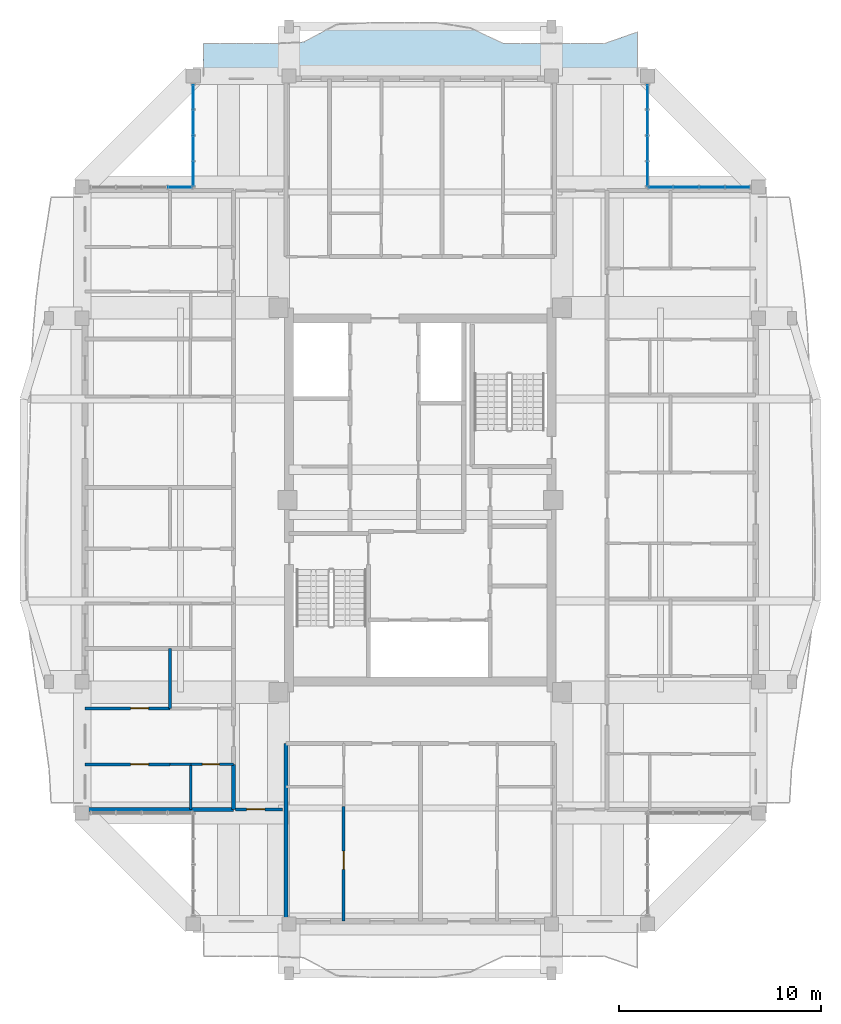
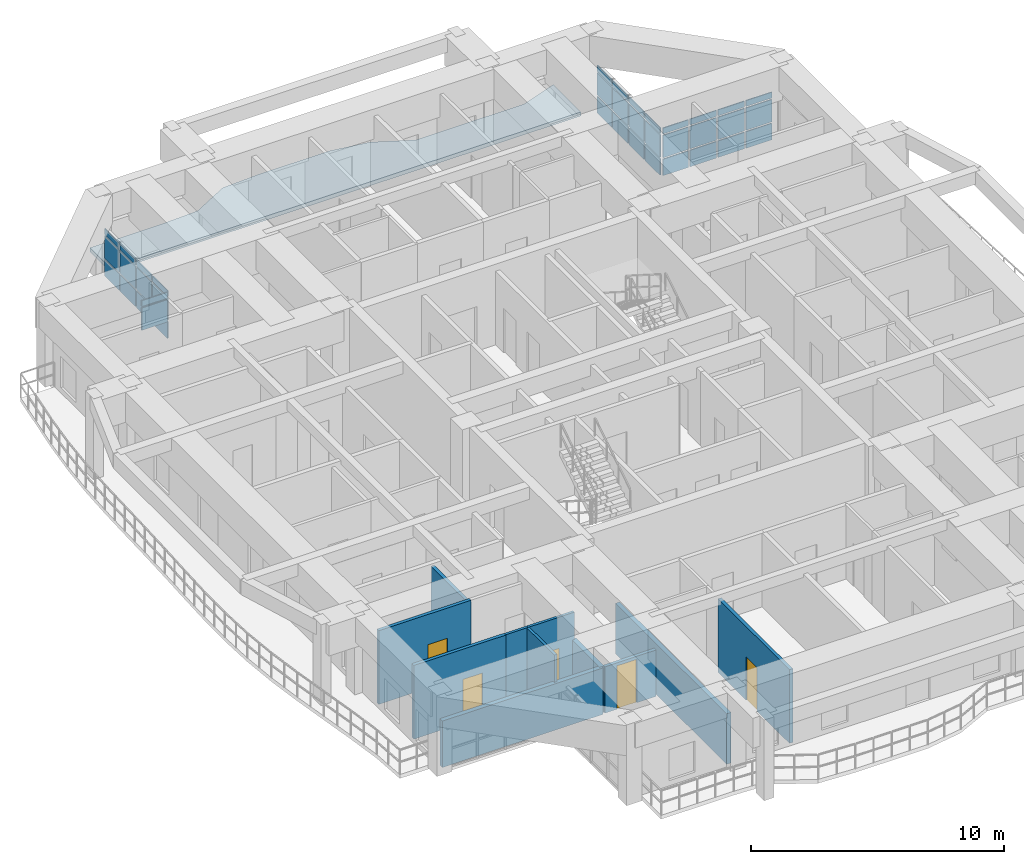
# One storey, part 15 of 27: 38 plates, 11 walls, 5 doors, 1 slab, 5 openings, 4 elements without a shape of their own.
"""IFC4 building model written with IfcOpenShell, lengths in metres."""

import ifcopenshell
import ifcopenshell.guid

model = None  # the IFC model being written
_history = None  # IfcOwnerHistory: only IFC2X3 demands one
_inside = {}  # id of a spatial element -> (the spatial element, [elements in it])
_under = {}  # id of a project, library or spatial element -> (it, [spatial elements below it])
_declared = {}  # id of a project -> (the project, [libraries it declares])
_typed = {}  # id of a type object -> (the type object, [elements of that type])
_made_of = {}  # id of a material, layer set ... -> (it, [elements and type objects made of it])


def new_model(schema):
    """Start an empty IFC model of exactly this schema.

    Asked for "IFC4X3", IfcOpenShell would pick the latest addendum, in which some entities
    have other attributes; the version numbers below select the first issue.
    IFC2X3 requires an IfcOwnerHistory on every rooted entity: one is made here for all.
    """
    global model, _history
    if schema == "IFC4X3":
        model = ifcopenshell.file(schema_version=(4, 3, 0, 0))
    else:
        model = ifcopenshell.file(schema=schema)
    _inside.clear()
    _under.clear()
    _declared.clear()
    _typed.clear()
    _made_of.clear()
    _history = None
    if model.schema == "IFC2X3":
        org = make("IfcOrganization", Name="unknown")
        user = make(
            "IfcPersonAndOrganization",
            ThePerson=make("IfcPerson", FamilyName="unknown"),
            TheOrganization=org,
        )
        app = make(
            "IfcApplication",
            ApplicationDeveloper=org,
            Version="unknown",
            ApplicationFullName="unknown",
            ApplicationIdentifier="unknown",
        )
        _history = make(
            "IfcOwnerHistory",
            OwningUser=user,
            OwningApplication=app,
            ChangeAction="ADDED",
            CreationDate=0,
        )
    return model


def make(cls, **values):
    """One entity of the class cls with the attributes given. An attribute that is None is left unset."""
    return model.create_entity(
        cls, **{name: value for name, value in values.items() if value is not None}
    )


def rooted(cls, **values):
    """An entity with a GlobalId (a new one), such as an element, a storey or a relation."""
    return make(cls, GlobalId=ifcopenshell.guid.new(), OwnerHistory=_history, **values)


def si_unit(unit_type, name, prefix=None):
    """IfcSIUnit, for example si_unit("LENGTHUNIT", "METRE", prefix="MILLI")."""
    return make("IfcSIUnit", UnitType=unit_type, Prefix=prefix, Name=name)


def assignment(units):
    """IfcUnitAssignment: the units of a project."""
    return None if units is None else make("IfcUnitAssignment", Units=units)


def point(xyz):
    """IfcCartesianPoint."""
    return None if xyz is None else make("IfcCartesianPoint", Coordinates=xyz)


def direction(xyz):
    """IfcDirection."""
    return None if xyz is None else make("IfcDirection", DirectionRatios=xyz)


def frame(location, z_axis=None, x_axis=None):
    """IfcAxis2Placement3D, a coordinate frame: its origin and axes. An axis left out is left unset."""
    return make(
        "IfcAxis2Placement3D",
        Location=point(location),
        Axis=direction(z_axis),
        RefDirection=direction(x_axis),
    )


def frame_2d(location, x_axis=None):
    """IfcAxis2Placement2D, a coordinate frame in the plane: its origin and x axis."""
    return make(
        "IfcAxis2Placement2D", Location=point(location), RefDirection=direction(x_axis)
    )


def origin():
    """The frame at (0, 0, 0) with its axes left unset."""
    return frame((0.0, 0.0, 0.0))


def origin_2d():
    """The frame at (0, 0) in the plane with its x axis left unset."""
    return frame_2d((0.0, 0.0))


def place(relative_to, where):
    """IfcLocalPlacement: puts the frame where relative to a parent placement (None: the world)."""
    return make(
        "IfcLocalPlacement", PlacementRelTo=relative_to, RelativePlacement=where
    )


def context(
    kind, dimensions, precision=None, world=None, true_north=None, identifier=None
):
    """IfcGeometricRepresentationContext, for example the 3D "Model" context."""
    return make(
        "IfcGeometricRepresentationContext",
        ContextIdentifier=identifier,
        ContextType=kind,
        CoordinateSpaceDimension=dimensions,
        Precision=precision,
        WorldCoordinateSystem=world,
        TrueNorth=true_north,
    )


def subcontext(parent, identifier, kind, view, scale=None):
    """IfcGeometricRepresentationSubContext, for example "Body" below "Model"."""
    return make(
        "IfcGeometricRepresentationSubContext",
        ContextIdentifier=identifier,
        ContextType=kind,
        ParentContext=parent,
        TargetScale=scale,
        TargetView=view,
    )


def project(units=None, contexts=None):
    """IfcProject with its units and contexts."""
    return rooted(
        "IfcProject",
        Name="project",
        RepresentationContexts=contexts,
        UnitsInContext=assignment(units),
    )


def spatial(cls, under=None, at=None, **own):
    """A site, building, storey or space (cls), placed at a placement, below another one or the project."""
    s = rooted(cls, ObjectPlacement=at, **own)
    if under is not None:
        _under.setdefault(under.id(), (under, []))[1].append(s)
    return s


def polyline(points):
    """IfcPolyline through the points."""
    return make("IfcPolyline", Points=[point(p) for p in points])


def profile(cls, at=None, kind="AREA", **sizes):
    """A parametric profile (cls). Its sizes go by their IFC names, for example OverallWidth=200.0."""
    return make(cls, ProfileType=kind, Position=at, **sizes)


def rectangle(**sizes):
    """IfcRectangleProfileDef."""
    return profile("IfcRectangleProfileDef", **sizes)


def outline(outer, holes=None, kind="AREA"):
    """IfcArbitraryClosedProfileDef: a profile drawn as a closed curve; with holes, ...WithVoids."""
    if holes is None:
        return make("IfcArbitraryClosedProfileDef", ProfileType=kind, OuterCurve=outer)
    return make(
        "IfcArbitraryProfileDefWithVoids",
        ProfileType=kind,
        OuterCurve=outer,
        InnerCurves=holes,
    )


def extrude(swept, where, along, depth):
    """IfcExtrudedAreaSolid: the profile swept, set in the frame where, extruded along a direction by depth."""
    return make(
        "IfcExtrudedAreaSolid",
        SweptArea=swept,
        Position=where,
        ExtrudedDirection=direction(along),
        Depth=depth,
    )


def shape(context_of_items, identifier, shape_type, items):
    """IfcShapeRepresentation: the items that make up one representation, for example the "Body"."""
    return make(
        "IfcShapeRepresentation",
        ContextOfItems=context_of_items,
        RepresentationIdentifier=identifier,
        RepresentationType=shape_type,
        Items=items,
    )


def source(mapping_origin, context_of_items, identifier, shape_type, items):
    """IfcRepresentationMap: a shape defined once, which mapped items show again and again."""
    return make(
        "IfcRepresentationMap",
        MappingOrigin=mapping_origin,
        MappedRepresentation=shape(context_of_items, identifier, shape_type, items),
    )


def transform(
    local_origin,
    x_axis=None,
    y_axis=None,
    z_axis=None,
    scale=None,
    scale2=None,
    scale3=None,
    uniform=True,
):
    """IfcCartesianTransformationOperator3D, or its non-uniform kind. x_axis, y_axis, z_axis: its Axis1, 2, 3."""
    if uniform:
        return make(
            "IfcCartesianTransformationOperator3D",
            Axis1=direction(x_axis),
            Axis2=direction(y_axis),
            LocalOrigin=point(local_origin),
            Scale=scale,
            Axis3=direction(z_axis),
        )
    return make(
        "IfcCartesianTransformationOperator3DnonUniform",
        Axis1=direction(x_axis),
        Axis2=direction(y_axis),
        LocalOrigin=point(local_origin),
        Scale=scale,
        Axis3=direction(z_axis),
        Scale2=scale2,
        Scale3=scale3,
    )


def mapped(mapping_source, mapping_target):
    """IfcMappedItem: shows the shape of a source again, moved by a transform."""
    return make(
        "IfcMappedItem", MappingSource=mapping_source, MappingTarget=mapping_target
    )


def material(Name=None, Category=None):
    """IfcMaterial."""
    return make("IfcMaterial", Name=Name, Category=Category)


def layer(
    of_material, thickness, ventilated=None, Name=None, Category=None, Priority=None
):
    """IfcMaterialLayer: one layer of a wall or slab, of a material (None: an air gap)."""
    return make(
        "IfcMaterialLayer",
        Material=of_material,
        LayerThickness=thickness,
        IsVentilated=ventilated,
        Name=Name,
        Category=Category,
        Priority=Priority,
    )


def layer_set(layers, Name=None):
    """IfcMaterialLayerSet."""
    return make("IfcMaterialLayerSet", MaterialLayers=layers, LayerSetName=Name)


def made_of(thing, what):
    """Note that an element or type object is made of a material, layer set ...; save() writes the relation."""
    if what is not None:
        _made_of.setdefault(what.id(), (what, []))[1].append(thing)
    return thing


def type_object(cls, material=None, **own):
    """A type object (cls), such as IfcWallType, which elements share."""
    return made_of(rooted(cls, **own), material)


def element(
    cls,
    number,
    at=None,
    inside=None,
    cuts=None,
    type_object=None,
    material=None,
    context=None,
    identifier="Body",
    shape_type=None,
    held_by="IfcProductDefinitionShape",
    body=None,
    shapes=None,
    **own,
):
    """One element of the class cls, such as IfcWall. Its Tag is "e" and its number.

    at: its placement. inside: the storey or other place that contains it. cuts: it is an
    opening in that element (IfcRelVoidsElement). A single representation is given by context,
    identifier, shape_type and body (its items); several are given by shapes. held_by: the class
    of the entity that holds the representations. save() writes the other relations.
    """
    e = rooted(cls, Tag="e%d" % number, ObjectPlacement=at, **own)
    if body is not None:
        shapes = [shape(context, identifier, shape_type, body)]
    if shapes is not None:
        e.Representation = make(held_by, Representations=shapes)
    if inside is not None:
        _inside.setdefault(inside.id(), (inside, []))[1].append(e)
    if cuts is not None:
        rooted(
            "IfcRelVoidsElement", RelatingBuildingElement=cuts, RelatedOpeningElement=e
        )
    if type_object is not None:
        _typed.setdefault(type_object.id(), (type_object, []))[1].append(e)
    return made_of(e, material)


def fill(opening, filler):
    """IfcRelFillsElement: the door or window that sits in an opening."""
    return rooted(
        "IfcRelFillsElement",
        RelatingOpeningElement=opening,
        RelatedBuildingElement=filler,
    )


def aggregate(whole, parts):
    """IfcRelAggregates: a whole, such as a stair, and the parts it consists of."""
    return rooted("IfcRelAggregates", RelatingObject=whole, RelatedObjects=parts)


def save(model, path):
    """Write the relations noted so far, then the file.

    IfcRelAggregates (storeys below a building ...), IfcRelContainedInSpatialStructure (elements
    in a storey), IfcRelDefinesByType, IfcRelAssociatesMaterial and IfcRelDeclares: one each for
    every whole, place, type object, material and project.
    """
    for whole, parts in _under.values():
        aggregate(whole, parts)
    for where, things in _inside.values():
        rooted(
            "IfcRelContainedInSpatialStructure",
            RelatedElements=things,
            RelatingStructure=where,
        )
    for kind, things in _typed.values():
        rooted("IfcRelDefinesByType", RelatedObjects=things, RelatingType=kind)
    for what, things in _made_of.values():
        rooted("IfcRelAssociatesMaterial", RelatedObjects=things, RelatingMaterial=what)
    for by, libraries in _declared.values():
        rooted("IfcRelDeclares", RelatingContext=by, RelatedDefinitions=libraries)
    model.write(path)


model = new_model("IFC4")

# Units and contexts
model_context = context("Model", 3, precision=1e-05, world=origin(), true_north=direction((0.0, 1.0)))
body_context = subcontext(model_context, "Body", "Model", "MODEL_VIEW")
ifc_project = project(units=[si_unit("LENGTHUNIT", "METRE"), si_unit("AREAUNIT", "SQUARE_METRE"), si_unit("VOLUMEUNIT", "CUBIC_METRE"), si_unit("PLANEANGLEUNIT", "RADIAN"), si_unit("MASSUNIT", "GRAM", prefix="KILO")], contexts=[model_context])

# Site, building, storey
site_placement = place(None, origin())
site = spatial("IfcSite", under=ifc_project, at=site_placement, CompositionType="ELEMENT")
building_placement = place(site_placement, origin())
building = spatial("IfcBuilding", under=site, at=building_placement, Name="Saelheon Loggia Tower", CompositionType="ELEMENT")
storey_placement = place(building_placement, frame((0.0, 0.0, 236.10009765625)))
storey = spatial("IfcBuildingStorey", under=building, at=storey_placement, Name="L73", CompositionType="ELEMENT", Elevation=236.10009765625)

# Slab
ifc_material_1 = material(Name="Precast Concrete C45/55", Category="concrete")
ifc_layer_1 = layer(ifc_material_1, 0.18994140625)
ifc_layer_set_1 = layer_set([ifc_layer_1], Name="Precast Concrete C45/55")
slab_type = type_object("IfcSlabType", Name="Slab_Loggia_Ext_190", PredefinedType="FLOOR", material=ifc_layer_set_1)
slab_placement = place(storey_placement, frame((0.0, 0.0, -0.190185546875)))
element("IfcSlab", 1, at=slab_placement, inside=storey, type_object=slab_type, Name="L73 Loggia Balcony Slab N", PredefinedType="FLOOR", context=body_context, shape_type="SweptSolid", body=[
    extrude(outline(polyline([(27.25, 48.0), (48.75, 48.0), (48.75, 50.17724609375), (47.09619140625, 49.60009765625), (45.4423828125, 49.60009765625), (43.78857421875, 49.60009765625), (42.134521484375, 49.60009765625), (40.480712890625, 50.376953125), (38.826904296875, 50.64990234375), (37.173095703125, 50.64990234375), (35.519287109375, 50.64990234375), (33.865478515625, 50.5595703125), (32.21142578125, 49.67724609375), (30.5576171875, 49.60009765625), (28.90380859375, 49.60009765625), (27.25, 49.60009765625), (27.25, 48.0)])), origin(), (0.0, 0.0, 1.0), 0.190185546875),
])

# Curtain wall, plates
ifc_material_2 = material(Name="High-Wind Aluminium and Triple Laminated Glass", Category="aluminium")
ifc_layer_2 = layer(ifc_material_2, 0.179931640625)
ifc_layer_set_2 = layer_set([ifc_layer_2], Name="High-Wind Aluminium and Triple Laminated Glass")
curtain_wall_type = type_object("IfcCurtainWallType", Name="CW_TowerLoggiaHigh", PredefinedType="NOTDEFINED", material=ifc_layer_set_2)
curtain_wall_1_placement = place(storey_placement, origin())
curtain_wall_1 = element("IfcCurtainWall", 2, at=curtain_wall_1_placement, inside=storey, type_object=curtain_wall_type, Name="L73 Corner Notch Glazing NW1", PredefinedType="NOTDEFINED")
ifc_material_3 = material(Name="Triple Low-E Laminated Glazing", Category="glass")
ifc_layer_3 = layer(ifc_material_3, 0.0439453125)
ifc_layer_set_3 = layer_set([ifc_layer_3], Name="Triple Low-E Laminated Glazing")
plate_type = type_object("IfcPlateType", Name="CW_TowerLoggiaHigh_Panel", PredefinedType="CURTAIN_PANEL", material=ifc_layer_set_3)
shared_shape_1 = source(origin(), body_context, "Body", "SweptSolid", [
    extrude(rectangle(XDim=1.172607421875, YDim=0.0439453125, at=origin_2d()), origin(), (0.0, 0.0, 1.0), 0.794921875),
])
plate_1_placement = place(storey_placement, frame((26.75, 43.15625, 0.06982421875), z_axis=(0.0, 0.0, 1.0), x_axis=(0.0, 1.0, 0.0)))
plate_1 = element("IfcPlate", 3, at=plate_1_placement, type_object=plate_type, Name="CW4 panel 1.1", PredefinedType="CURTAIN_PANEL", context=body_context, shape_type="MappedRepresentation", body=[
    mapped(shared_shape_1, transform((0.0, 0.0, 0.0), scale=1.0)),
])
plate_2_placement = place(storey_placement, frame((26.75, 46.953857421875, 0.06982421875), z_axis=(0.0, 0.0, 1.0), x_axis=(0.0, 1.0, 0.0)))
plate_2 = element("IfcPlate", 4, at=plate_2_placement, type_object=plate_type, Name="CW4 panel 4.1", PredefinedType="CURTAIN_PANEL", context=body_context, shape_type="MappedRepresentation", body=[
    mapped(shared_shape_1, transform((0.0, 0.0, 0.0), scale=1.0)),
])

curtain_wall_2_placement = place(storey_placement, origin())
curtain_wall_2 = element("IfcCurtainWall", 5, at=curtain_wall_2_placement, inside=storey, type_object=curtain_wall_type, Name="L73 Corner Notch Glazing NE1", PredefinedType="NOTDEFINED")
plate_3_placement = place(storey_placement, frame((49.25, 43.15625, 0.06982421875), z_axis=(0.0, 0.0, 1.0), x_axis=(0.0, 1.0, 0.0)))
plate_3 = element("IfcPlate", 6, at=plate_3_placement, type_object=plate_type, Name="CW4 panel 1.1", PredefinedType="CURTAIN_PANEL", context=body_context, shape_type="MappedRepresentation", body=[
    mapped(shared_shape_1, transform((0.0, 0.0, 0.0), scale=1.0)),
])
plate_4_placement = place(storey_placement, frame((49.25, 46.953857421875, 0.06982421875), z_axis=(0.0, 0.0, 1.0), x_axis=(0.0, 1.0, 0.0)))
plate_4 = element("IfcPlate", 7, at=plate_4_placement, type_object=plate_type, Name="CW4 panel 4.1", PredefinedType="CURTAIN_PANEL", context=body_context, shape_type="MappedRepresentation", body=[
    mapped(shared_shape_1, transform((0.0, 0.0, 0.0), scale=1.0)),
])

curtain_wall_3_placement = place(storey_placement, origin())
curtain_wall_3 = element("IfcCurtainWall", 8, at=curtain_wall_3_placement, inside=storey, type_object=curtain_wall_type, Name="L73 Corner Notch Glazing NE2", PredefinedType="NOTDEFINED")
plate_5_placement = place(storey_placement, frame((49.90625, 42.5, 0.06982421875), z_axis=(0.0, 0.0, 1.0), x_axis=(1.0, 0.0, 0.0)))
plate_5 = element("IfcPlate", 9, at=plate_5_placement, type_object=plate_type, Name="CW4 panel 1.1", PredefinedType="CURTAIN_PANEL", context=body_context, shape_type="MappedRepresentation", body=[
    mapped(shared_shape_1, transform((0.0, 0.0, 0.0), scale=1.0)),
])
plate_6_placement = place(storey_placement, frame((53.703857421875, 42.5, 0.06982421875), z_axis=(0.0, 0.0, 1.0), x_axis=(1.0, 0.0, 0.0)))
plate_6 = element("IfcPlate", 10, at=plate_6_placement, type_object=plate_type, Name="CW4 panel 4.1", PredefinedType="CURTAIN_PANEL", context=body_context, shape_type="MappedRepresentation", body=[
    mapped(shared_shape_1, transform((0.0, 0.0, 0.0), scale=1.0)),
])

# Plate
shared_shape_2 = source(origin(), body_context, "Body", "SweptSolid", [
    extrude(rectangle(XDim=1.172607421875, YDim=0.0439453125, at=origin_2d()), origin(), (0.0, 0.0, 1.0), 1.080078125),
])
plate_7_placement = place(storey_placement, frame((26.75, 43.15625, 0.934814453125), z_axis=(0.0, 0.0, 1.0), x_axis=(0.0, 1.0, 0.0)))
plate_7 = element("IfcPlate", 11, at=plate_7_placement, type_object=plate_type, Name="CW4 panel 1.2", PredefinedType="CURTAIN_PANEL", context=body_context, shape_type="MappedRepresentation", body=[
    mapped(shared_shape_2, transform((0.0, 0.0, 0.0), scale=1.0)),
])

plate_8_placement = place(storey_placement, frame((26.75, 46.953857421875, 0.934814453125), z_axis=(0.0, 0.0, 1.0), x_axis=(0.0, 1.0, 0.0)))
plate_8 = element("IfcPlate", 12, at=plate_8_placement, type_object=plate_type, Name="CW4 panel 4.2", PredefinedType="CURTAIN_PANEL", context=body_context, shape_type="MappedRepresentation", body=[
    mapped(shared_shape_2, transform((0.0, 0.0, 0.0), scale=1.0)),
])

# Curtain wall, plate
curtain_wall_4_placement = place(storey_placement, origin())
curtain_wall_4 = element("IfcCurtainWall", 13, at=curtain_wall_4_placement, inside=storey, type_object=curtain_wall_type, Name="L73 Corner Notch Glazing NW2", PredefinedType="NOTDEFINED")
plate_9_placement = place(storey_placement, frame((26.09375, 42.5, 0.934814453125), z_axis=(0.0, 0.0, 1.0), x_axis=(1.0, 0.0, 0.0)))
plate_9 = element("IfcPlate", 14, at=plate_9_placement, type_object=plate_type, Name="CW4 panel 4.2", PredefinedType="CURTAIN_PANEL", context=body_context, shape_type="MappedRepresentation", body=[
    mapped(shared_shape_2, transform((0.0, 0.0, 0.0), scale=1.0)),
])

# Plate
plate_10_placement = place(storey_placement, frame((49.25, 43.15625, 0.934814453125), z_axis=(0.0, 0.0, 1.0), x_axis=(0.0, 1.0, 0.0)))
plate_10 = element("IfcPlate", 15, at=plate_10_placement, type_object=plate_type, Name="CW4 panel 1.2", PredefinedType="CURTAIN_PANEL", context=body_context, shape_type="MappedRepresentation", body=[
    mapped(shared_shape_2, transform((0.0, 0.0, 0.0), scale=1.0)),
])

plate_11_placement = place(storey_placement, frame((49.25, 46.953857421875, 0.934814453125), z_axis=(0.0, 0.0, 1.0), x_axis=(0.0, 1.0, 0.0)))
plate_11 = element("IfcPlate", 16, at=plate_11_placement, type_object=plate_type, Name="CW4 panel 4.2", PredefinedType="CURTAIN_PANEL", context=body_context, shape_type="MappedRepresentation", body=[
    mapped(shared_shape_2, transform((0.0, 0.0, 0.0), scale=1.0)),
])

plate_12_placement = place(storey_placement, frame((49.90625, 42.5, 0.934814453125), z_axis=(0.0, 0.0, 1.0), x_axis=(1.0, 0.0, 0.0)))
plate_12 = element("IfcPlate", 17, at=plate_12_placement, type_object=plate_type, Name="CW4 panel 1.2", PredefinedType="CURTAIN_PANEL", context=body_context, shape_type="MappedRepresentation", body=[
    mapped(shared_shape_2, transform((0.0, 0.0, 0.0), scale=1.0)),
])

plate_13_placement = place(storey_placement, frame((53.703857421875, 42.5, 0.934814453125), z_axis=(0.0, 0.0, 1.0), x_axis=(1.0, 0.0, 0.0)))
plate_13 = element("IfcPlate", 18, at=plate_13_placement, type_object=plate_type, Name="CW4 panel 4.2", PredefinedType="CURTAIN_PANEL", context=body_context, shape_type="MappedRepresentation", body=[
    mapped(shared_shape_2, transform((0.0, 0.0, 0.0), scale=1.0)),
])

shared_shape_3 = source(origin(), body_context, "Body", "SweptSolid", [
    extrude(rectangle(XDim=1.172607421875, YDim=0.0439453125, at=origin_2d()), origin(), (0.0, 0.0, 1.0), 0.284912109375),
])
plate_14_placement = place(storey_placement, frame((26.75, 43.15625, 2.0849609375), z_axis=(0.0, 0.0, 1.0), x_axis=(0.0, 1.0, 0.0)))
plate_14 = element("IfcPlate", 19, at=plate_14_placement, type_object=plate_type, Name="CW4 panel 1.3", PredefinedType="CURTAIN_PANEL", context=body_context, shape_type="MappedRepresentation", body=[
    mapped(shared_shape_3, transform((0.0, 0.0, 0.0), scale=1.0)),
])

plate_15_placement = place(storey_placement, frame((26.75, 46.953857421875, 2.0849609375), z_axis=(0.0, 0.0, 1.0), x_axis=(0.0, 1.0, 0.0)))
plate_15 = element("IfcPlate", 20, at=plate_15_placement, type_object=plate_type, Name="CW4 panel 4.3", PredefinedType="CURTAIN_PANEL", context=body_context, shape_type="MappedRepresentation", body=[
    mapped(shared_shape_3, transform((0.0, 0.0, 0.0), scale=1.0)),
])

plate_16_placement = place(storey_placement, frame((26.09375, 42.5, 2.0849609375), z_axis=(0.0, 0.0, 1.0), x_axis=(1.0, 0.0, 0.0)))
plate_16 = element("IfcPlate", 21, at=plate_16_placement, type_object=plate_type, Name="CW4 panel 4.3", PredefinedType="CURTAIN_PANEL", context=body_context, shape_type="MappedRepresentation", body=[
    mapped(shared_shape_3, transform((0.0, 0.0, 0.0), scale=1.0)),
])

aggregate(curtain_wall_4, [plate_9, plate_16])

plate_17_placement = place(storey_placement, frame((49.25, 43.15625, 2.0849609375), z_axis=(0.0, 0.0, 1.0), x_axis=(0.0, 1.0, 0.0)))
plate_17 = element("IfcPlate", 22, at=plate_17_placement, type_object=plate_type, Name="CW4 panel 1.3", PredefinedType="CURTAIN_PANEL", context=body_context, shape_type="MappedRepresentation", body=[
    mapped(shared_shape_3, transform((0.0, 0.0, 0.0), scale=1.0)),
])

plate_18_placement = place(storey_placement, frame((49.25, 46.953857421875, 2.0849609375), z_axis=(0.0, 0.0, 1.0), x_axis=(0.0, 1.0, 0.0)))
plate_18 = element("IfcPlate", 23, at=plate_18_placement, type_object=plate_type, Name="CW4 panel 4.3", PredefinedType="CURTAIN_PANEL", context=body_context, shape_type="MappedRepresentation", body=[
    mapped(shared_shape_3, transform((0.0, 0.0, 0.0), scale=1.0)),
])

plate_19_placement = place(storey_placement, frame((49.90625, 42.5, 2.0849609375), z_axis=(0.0, 0.0, 1.0), x_axis=(1.0, 0.0, 0.0)))
plate_19 = element("IfcPlate", 24, at=plate_19_placement, type_object=plate_type, Name="CW4 panel 1.3", PredefinedType="CURTAIN_PANEL", context=body_context, shape_type="MappedRepresentation", body=[
    mapped(shared_shape_3, transform((0.0, 0.0, 0.0), scale=1.0)),
])

plate_20_placement = place(storey_placement, frame((53.703857421875, 42.5, 2.0849609375), z_axis=(0.0, 0.0, 1.0), x_axis=(1.0, 0.0, 0.0)))
plate_20 = element("IfcPlate", 25, at=plate_20_placement, type_object=plate_type, Name="CW4 panel 4.3", PredefinedType="CURTAIN_PANEL", context=body_context, shape_type="MappedRepresentation", body=[
    mapped(shared_shape_3, transform((0.0, 0.0, 0.0), scale=1.0)),
])

shared_shape_4 = source(origin(), body_context, "Body", "SweptSolid", [
    extrude(rectangle(XDim=1.20751953125, YDim=0.0439453125, at=origin_2d()), origin(), (0.0, 0.0, 1.0), 0.794921875),
])
plate_21_placement = place(storey_placement, frame((26.75, 44.416259765625, 0.06982421875), z_axis=(0.0, 0.0, 1.0), x_axis=(0.0, 1.0, 0.0)))
plate_21 = element("IfcPlate", 26, at=plate_21_placement, type_object=plate_type, Name="CW4 panel 2.1", PredefinedType="CURTAIN_PANEL", context=body_context, shape_type="MappedRepresentation", body=[
    mapped(shared_shape_4, transform((0.0, 0.0, 0.0), scale=1.0)),
])

plate_22_placement = place(storey_placement, frame((26.75, 45.69384765625, 0.06982421875), z_axis=(0.0, 0.0, 1.0), x_axis=(0.0, 1.0, 0.0)))
plate_22 = element("IfcPlate", 27, at=plate_22_placement, type_object=plate_type, Name="CW4 panel 3.1", PredefinedType="CURTAIN_PANEL", context=body_context, shape_type="MappedRepresentation", body=[
    mapped(shared_shape_4, transform((0.0, 0.0, 0.0), scale=1.0)),
])

plate_23_placement = place(storey_placement, frame((49.25, 44.416259765625, 0.06982421875), z_axis=(0.0, 0.0, 1.0), x_axis=(0.0, 1.0, 0.0)))
plate_23 = element("IfcPlate", 28, at=plate_23_placement, type_object=plate_type, Name="CW4 panel 2.1", PredefinedType="CURTAIN_PANEL", context=body_context, shape_type="MappedRepresentation", body=[
    mapped(shared_shape_4, transform((0.0, 0.0, 0.0), scale=1.0)),
])

plate_24_placement = place(storey_placement, frame((49.25, 45.69384765625, 0.06982421875), z_axis=(0.0, 0.0, 1.0), x_axis=(0.0, 1.0, 0.0)))
plate_24 = element("IfcPlate", 29, at=plate_24_placement, type_object=plate_type, Name="CW4 panel 3.1", PredefinedType="CURTAIN_PANEL", context=body_context, shape_type="MappedRepresentation", body=[
    mapped(shared_shape_4, transform((0.0, 0.0, 0.0), scale=1.0)),
])

plate_25_placement = place(storey_placement, frame((51.166259765625, 42.5, 0.06982421875), z_axis=(0.0, 0.0, 1.0), x_axis=(1.0, 0.0, 0.0)))
plate_25 = element("IfcPlate", 30, at=plate_25_placement, type_object=plate_type, Name="CW4 panel 2.1", PredefinedType="CURTAIN_PANEL", context=body_context, shape_type="MappedRepresentation", body=[
    mapped(shared_shape_4, transform((0.0, 0.0, 0.0), scale=1.0)),
])

plate_26_placement = place(storey_placement, frame((52.44384765625, 42.5, 0.06982421875), z_axis=(0.0, 0.0, 1.0), x_axis=(1.0, 0.0, 0.0)))
plate_26 = element("IfcPlate", 31, at=plate_26_placement, type_object=plate_type, Name="CW4 panel 3.1", PredefinedType="CURTAIN_PANEL", context=body_context, shape_type="MappedRepresentation", body=[
    mapped(shared_shape_4, transform((0.0, 0.0, 0.0), scale=1.0)),
])

shared_shape_5 = source(origin(), body_context, "Body", "SweptSolid", [
    extrude(rectangle(XDim=1.20751953125, YDim=0.0439453125, at=origin_2d()), origin(), (0.0, 0.0, 1.0), 1.080078125),
])
plate_27_placement = place(storey_placement, frame((26.75, 44.416259765625, 0.934814453125), z_axis=(0.0, 0.0, 1.0), x_axis=(0.0, 1.0, 0.0)))
plate_27 = element("IfcPlate", 32, at=plate_27_placement, type_object=plate_type, Name="CW4 panel 2.2", PredefinedType="CURTAIN_PANEL", context=body_context, shape_type="MappedRepresentation", body=[
    mapped(shared_shape_5, transform((0.0, 0.0, 0.0), scale=1.0)),
])

plate_28_placement = place(storey_placement, frame((26.75, 45.69384765625, 0.934814453125), z_axis=(0.0, 0.0, 1.0), x_axis=(0.0, 1.0, 0.0)))
plate_28 = element("IfcPlate", 33, at=plate_28_placement, type_object=plate_type, Name="CW4 panel 3.2", PredefinedType="CURTAIN_PANEL", context=body_context, shape_type="MappedRepresentation", body=[
    mapped(shared_shape_5, transform((0.0, 0.0, 0.0), scale=1.0)),
])

plate_29_placement = place(storey_placement, frame((49.25, 44.416259765625, 0.934814453125), z_axis=(0.0, 0.0, 1.0), x_axis=(0.0, 1.0, 0.0)))
plate_29 = element("IfcPlate", 34, at=plate_29_placement, type_object=plate_type, Name="CW4 panel 2.2", PredefinedType="CURTAIN_PANEL", context=body_context, shape_type="MappedRepresentation", body=[
    mapped(shared_shape_5, transform((0.0, 0.0, 0.0), scale=1.0)),
])

plate_30_placement = place(storey_placement, frame((49.25, 45.69384765625, 0.934814453125), z_axis=(0.0, 0.0, 1.0), x_axis=(0.0, 1.0, 0.0)))
plate_30 = element("IfcPlate", 35, at=plate_30_placement, type_object=plate_type, Name="CW4 panel 3.2", PredefinedType="CURTAIN_PANEL", context=body_context, shape_type="MappedRepresentation", body=[
    mapped(shared_shape_5, transform((0.0, 0.0, 0.0), scale=1.0)),
])

plate_31_placement = place(storey_placement, frame((51.166259765625, 42.5, 0.934814453125), z_axis=(0.0, 0.0, 1.0), x_axis=(1.0, 0.0, 0.0)))
plate_31 = element("IfcPlate", 36, at=plate_31_placement, type_object=plate_type, Name="CW4 panel 2.2", PredefinedType="CURTAIN_PANEL", context=body_context, shape_type="MappedRepresentation", body=[
    mapped(shared_shape_5, transform((0.0, 0.0, 0.0), scale=1.0)),
])

plate_32_placement = place(storey_placement, frame((52.44384765625, 42.5, 0.934814453125), z_axis=(0.0, 0.0, 1.0), x_axis=(1.0, 0.0, 0.0)))
plate_32 = element("IfcPlate", 37, at=plate_32_placement, type_object=plate_type, Name="CW4 panel 3.2", PredefinedType="CURTAIN_PANEL", context=body_context, shape_type="MappedRepresentation", body=[
    mapped(shared_shape_5, transform((0.0, 0.0, 0.0), scale=1.0)),
])

shared_shape_6 = source(origin(), body_context, "Body", "SweptSolid", [
    extrude(rectangle(XDim=1.20751953125, YDim=0.0439453125, at=origin_2d()), origin(), (0.0, 0.0, 1.0), 0.284912109375),
])
plate_33_placement = place(storey_placement, frame((26.75, 44.416259765625, 2.0849609375), z_axis=(0.0, 0.0, 1.0), x_axis=(0.0, 1.0, 0.0)))
plate_33 = element("IfcPlate", 38, at=plate_33_placement, type_object=plate_type, Name="CW4 panel 2.3", PredefinedType="CURTAIN_PANEL", context=body_context, shape_type="MappedRepresentation", body=[
    mapped(shared_shape_6, transform((0.0, 0.0, 0.0), scale=1.0)),
])

plate_34_placement = place(storey_placement, frame((26.75, 45.69384765625, 2.0849609375), z_axis=(0.0, 0.0, 1.0), x_axis=(0.0, 1.0, 0.0)))
plate_34 = element("IfcPlate", 39, at=plate_34_placement, type_object=plate_type, Name="CW4 panel 3.3", PredefinedType="CURTAIN_PANEL", context=body_context, shape_type="MappedRepresentation", body=[
    mapped(shared_shape_6, transform((0.0, 0.0, 0.0), scale=1.0)),
])

aggregate(curtain_wall_1, [plate_1, plate_7, plate_14, plate_21, plate_27, plate_33, plate_22, plate_28, plate_34, plate_2, plate_8, plate_15])

plate_35_placement = place(storey_placement, frame((49.25, 44.416259765625, 2.0849609375), z_axis=(0.0, 0.0, 1.0), x_axis=(0.0, 1.0, 0.0)))
plate_35 = element("IfcPlate", 40, at=plate_35_placement, type_object=plate_type, Name="CW4 panel 2.3", PredefinedType="CURTAIN_PANEL", context=body_context, shape_type="MappedRepresentation", body=[
    mapped(shared_shape_6, transform((0.0, 0.0, 0.0), scale=1.0)),
])

plate_36_placement = place(storey_placement, frame((49.25, 45.69384765625, 2.0849609375), z_axis=(0.0, 0.0, 1.0), x_axis=(0.0, 1.0, 0.0)))
plate_36 = element("IfcPlate", 41, at=plate_36_placement, type_object=plate_type, Name="CW4 panel 3.3", PredefinedType="CURTAIN_PANEL", context=body_context, shape_type="MappedRepresentation", body=[
    mapped(shared_shape_6, transform((0.0, 0.0, 0.0), scale=1.0)),
])

aggregate(curtain_wall_2, [plate_3, plate_10, plate_17, plate_23, plate_29, plate_35, plate_24, plate_30, plate_36, plate_4, plate_11, plate_18])

plate_37_placement = place(storey_placement, frame((51.166259765625, 42.5, 2.0849609375), z_axis=(0.0, 0.0, 1.0), x_axis=(1.0, 0.0, 0.0)))
plate_37 = element("IfcPlate", 42, at=plate_37_placement, type_object=plate_type, Name="CW4 panel 2.3", PredefinedType="CURTAIN_PANEL", context=body_context, shape_type="MappedRepresentation", body=[
    mapped(shared_shape_6, transform((0.0, 0.0, 0.0), scale=1.0)),
])

plate_38_placement = place(storey_placement, frame((52.44384765625, 42.5, 2.0849609375), z_axis=(0.0, 0.0, 1.0), x_axis=(1.0, 0.0, 0.0)))
plate_38 = element("IfcPlate", 43, at=plate_38_placement, type_object=plate_type, Name="CW4 panel 3.3", PredefinedType="CURTAIN_PANEL", context=body_context, shape_type="MappedRepresentation", body=[
    mapped(shared_shape_6, transform((0.0, 0.0, 0.0), scale=1.0)),
])

aggregate(curtain_wall_3, [plate_5, plate_12, plate_19, plate_25, plate_31, plate_37, plate_26, plate_32, plate_38, plate_6, plate_13, plate_20])

# Wall, opening, door
ifc_material_4 = material(Name="Lightweight Autoclaved Aerated Concrete Block and Acoustic Gypsum", Category="concrete")
ifc_layer_4 = layer(ifc_material_4, 0.14990234375)
ifc_layer_set_4 = layer_set([ifc_layer_4], Name="Lightweight Autoclaved Aerated Concrete Block and Acoustic Gypsum")
wall_type_1 = type_object("IfcWallType", Name="Wall_Part_150", PredefinedType="PARTITIONING", material=ifc_layer_set_4)
wall_1_placement = place(storey_placement, frame((28.85009765625, 11.679931640625, 0.0), z_axis=(0.0, 0.0, 1.0), x_axis=(1.0, 0.0, 0.0)))
wall_1 = element("IfcWall", 44, at=wall_1_placement, inside=storey, type_object=wall_type_1, Name="PW-L73-CSW-H", PredefinedType="PARTITIONING", context=body_context, shape_type="SweptSolid", body=[
    extrude(rectangle(XDim=2.329833984375, YDim=0.14990234375, at=frame_2d((1.1650390625, 0.0))), origin(), (0.0, 0.0, 1.0), 2.239990234375),
])
opening_1_placement = place(wall_1_placement, frame((0.550048828125, 0.0, 0.0)))
opening_1 = element("IfcOpeningElement", 45, at=opening_1_placement, cuts=wall_1, Name="Opening D-IN2", PredefinedType="OPENING", context=body_context, shape_type="SweptSolid", body=[
    extrude(rectangle(XDim=0.89990234375, YDim=2.10009765625, at=frame_2d((0.449951171875, 1.050048828125))), frame((0.0, 0.0869140625, 0.0), z_axis=(0.0, -1.0, 0.0), x_axis=(1.0, 0.0, 0.0)), (0.0, 0.0, 1.0), 0.173828125),
])
ifc_material_5 = material(Name="Engineered Oak Flush Door", Category="timber")
door_type_1 = type_object("IfcDoorType", Name="Door_Int_900", OperationType="NOTDEFINED", PredefinedType="DOOR", material=ifc_material_5)
shared_shape_7 = source(origin(), body_context, "Body", "SweptSolid", [
    extrude(rectangle(XDim=0.89990234375, YDim=2.10009765625, at=frame_2d((0.449951171875, 1.050048828125))), frame((0.0, 0.02490234375, 0.0), z_axis=(0.0, -1.0, 0.0), x_axis=(1.0, 0.0, 0.0)), (0.0, 0.0, 1.0), 0.050048828125),
])
door_1_placement = place(opening_1_placement, origin())
door_1 = element("IfcDoor", 46, at=door_1_placement, inside=storey, type_object=door_type_1, Name="L73 Corner Home Office SW Door", OperationType="SINGLE_SWING_LEFT", OverallHeight=2.10009765625, OverallWidth=0.89990234375, PredefinedType="DOOR", context=body_context, shape_type="MappedRepresentation", body=[
    mapped(shared_shape_7, transform((0.0, 0.0, 0.0), scale=1.0)),
])
fill(opening_1, door_1)

wall_2_placement = place(storey_placement, frame((34.199951171875, 11.81005859375, 0.0), z_axis=(0.0, 0.0, 1.0), x_axis=(0.0, -1.0, 0.0)))
wall_2 = element("IfcWall", 47, at=wall_2_placement, inside=storey, type_object=wall_type_1, Name="L73 S Partition U08", PredefinedType="PARTITIONING", context=body_context, shape_type="SweptSolid", body=[
    extrude(rectangle(XDim=5.66015625, YDim=0.14990234375, at=frame_2d((2.830078125, 0.0))), origin(), (0.0, 0.0, 1.0), 3.559814453125),
])
opening_2_placement = place(wall_2_placement, frame((2.20166015625, 0.0, 0.0)))
opening_2 = element("IfcOpeningElement", 48, at=opening_2_placement, cuts=wall_2, Name="Opening D-IN2", PredefinedType="OPENING", context=body_context, shape_type="SweptSolid", body=[
    extrude(rectangle(XDim=0.89990234375, YDim=2.10009765625, at=frame_2d((0.449951171875, 1.050048828125))), frame((0.0, 0.0869140625, 0.0), z_axis=(0.0, -1.0, 0.0), x_axis=(1.0, 0.0, 0.0)), (0.0, 0.0, 1.0), 0.173828125),
])
door_2_placement = place(opening_2_placement, origin())
door_2 = element("IfcDoor", 49, at=door_2_placement, inside=storey, type_object=door_type_1, Name="Unit U01 Kitchen Door", OperationType="SINGLE_SWING_LEFT", OverallHeight=2.10009765625, OverallWidth=0.89990234375, PredefinedType="DOOR", context=body_context, shape_type="MappedRepresentation", body=[
    mapped(shared_shape_7, transform((0.0, 0.0, 0.0), scale=1.0)),
])
fill(opening_2, door_2)

# Wall
wall_3_placement = place(storey_placement, frame((25.610107421875, 16.679931640625, 0.0), z_axis=(0.0, 0.0, 1.0), x_axis=(0.0, 1.0, 0.0)))
element("IfcWall", 50, at=wall_3_placement, inside=storey, type_object=wall_type_1, Name="L73 W Partition V07", PredefinedType="PARTITIONING", context=body_context, shape_type="SweptSolid", body=[
    extrude(rectangle(XDim=2.966552734375, YDim=0.14990234375, at=frame_2d((1.4833984375, 0.0))), origin(), (0.0, 0.0, 1.0), 3.389892578125),
])

# Wall, opening, door
wall_4_placement = place(storey_placement, frame((25.610107421875, 13.91064453125, 0.0), z_axis=(0.0, 0.0, 1.0), x_axis=(-1.0, 0.0, 0.0)))
wall_4 = element("IfcWall", 51, at=wall_4_placement, inside=storey, type_object=wall_type_1, Name="L73 W Partition U10", PredefinedType="PARTITIONING", context=body_context, shape_type="SweptSolid", body=[
    extrude(rectangle(XDim=4.210205078125, YDim=0.14990234375, at=frame_2d((2.10498046875, 0.0))), origin(), (0.0, 0.0, 1.0), 3.559814453125),
])
opening_3_placement = place(wall_4_placement, frame((1.0654296875, 0.0, 0.0)))
opening_3 = element("IfcOpeningElement", 52, at=opening_3_placement, cuts=wall_4, Name="Opening D-IN2", PredefinedType="OPENING", context=body_context, shape_type="SweptSolid", body=[
    extrude(rectangle(XDim=0.89990234375, YDim=2.10009765625, at=frame_2d((0.449951171875, 1.050048828125))), frame((0.0, 0.0869140625, 0.0), z_axis=(0.0, -1.0, 0.0), x_axis=(1.0, 0.0, 0.0)), (0.0, 0.0, 1.0), 0.173828125),
])
door_3_placement = place(opening_3_placement, origin())
door_3 = element("IfcDoor", 53, at=door_3_placement, inside=storey, type_object=door_type_1, Name="Unit U05 Kitchen Door", OperationType="SINGLE_SWING_RIGHT", OverallHeight=2.10009765625, OverallWidth=0.89990234375, PredefinedType="DOOR", context=body_context, shape_type="MappedRepresentation", body=[
    mapped(shared_shape_7, transform((0.0, 0.0, 0.0), scale=1.0)),
])
fill(opening_3, door_3)

wall_5_placement = place(storey_placement, frame((25.610107421875, 16.679931640625, 0.0), z_axis=(0.0, 0.0, 1.0), x_axis=(-1.0, 0.0, 0.0)))
wall_5 = element("IfcWall", 54, at=wall_5_placement, inside=storey, type_object=wall_type_1, Name="L73 W Partition U12", PredefinedType="PARTITIONING", context=body_context, shape_type="SweptSolid", body=[
    extrude(rectangle(XDim=4.210205078125, YDim=0.14990234375, at=frame_2d((2.10498046875, 0.0))), origin(), (0.0, 0.0, 1.0), 3.559814453125),
])
opening_4_placement = place(wall_5_placement, frame((1.0654296875, 0.0, 0.0)))
opening_4 = element("IfcOpeningElement", 55, at=opening_4_placement, cuts=wall_5, Name="Opening D-IN2", PredefinedType="OPENING", context=body_context, shape_type="SweptSolid", body=[
    extrude(rectangle(XDim=0.89990234375, YDim=2.10009765625, at=frame_2d((0.449951171875, 1.050048828125))), frame((0.0, 0.0869140625, 0.0), z_axis=(0.0, -1.0, 0.0), x_axis=(1.0, 0.0, 0.0)), (0.0, 0.0, 1.0), 0.173828125),
])
door_4_placement = place(opening_4_placement, origin())
door_4 = element("IfcDoor", 56, at=door_4_placement, inside=storey, type_object=door_type_1, Name="Unit U05 Bedroom 1 Door", OperationType="SINGLE_SWING_RIGHT", OverallHeight=2.10009765625, OverallWidth=0.89990234375, PredefinedType="DOOR", context=body_context, shape_type="MappedRepresentation", body=[
    mapped(shared_shape_7, transform((0.0, 0.0, 0.0), scale=1.0)),
])
fill(opening_4, door_4)

# Walls
ifc_material_6 = material(Name="Double Acoustic Stud and Fireboard Partition", Category="gypsum")
ifc_layer_5 = layer(ifc_material_6, 0.199951171875)
ifc_layer_set_5 = layer_set([ifc_layer_5], Name="Double Acoustic Stud and Fireboard Partition")
wall_type_2 = type_object("IfcWallType", Name="Wall_Party_200", PredefinedType="PARTITIONING", material=ifc_layer_set_5)
wall_6_placement = place(storey_placement, frame((31.35009765625, 14.949951171875, 0.0), z_axis=(0.0, 0.0, 1.0), x_axis=(0.0, -1.0, 0.0)))
element("IfcWall", 57, at=wall_6_placement, inside=storey, type_object=wall_type_2, Name="L73 S Partition U01", PredefinedType="PARTITIONING", context=body_context, shape_type="SweptSolid", body=[
    extrude(rectangle(XDim=8.800048828125, YDim=0.199951171875, at=frame_2d((4.39990234375, 0.0))), origin(), (0.0, 0.0, 1.0), 2.43994140625),
])
wall_7_placement = place(storey_placement, frame((28.75, 11.679931640625, 0.0), z_axis=(0.0, 0.0, 1.0), x_axis=(-1.0, 0.0, 0.0)))
element("IfcWall", 58, at=wall_7_placement, inside=storey, type_object=wall_type_2, Name="L73 W Partition U01", PredefinedType="PARTITIONING", context=body_context, shape_type="SweptSolid", body=[
    extrude(rectangle(XDim=7.35009765625, YDim=0.199951171875, at=frame_2d((3.675048828125, 0.0))), origin(), (0.0, 0.0, 1.0), 2.239990234375),
])
wall_8_placement = place(storey_placement, frame((28.75, 11.679931640625, 0.0), z_axis=(0.0, 0.0, 1.0), x_axis=(0.0, 1.0, 0.0)))
element("IfcWall", 59, at=wall_8_placement, inside=storey, type_object=wall_type_2, Name="L73 W Partition V03", PredefinedType="PARTITIONING", context=body_context, shape_type="SweptSolid", body=[
    extrude(rectangle(XDim=2.230712890625, YDim=0.199951171875, at=frame_2d((1.115234375, 0.0))), origin(), (0.0, 0.0, 1.0), 2.239990234375),
])
ifc_material_7 = material(Name="Moisture-Resistant Cement Board Partition", Category="gypsum")
ifc_layer_6 = layer(ifc_material_7, 0.1201171875)
ifc_layer_set_6 = layer_set([ifc_layer_6], Name="Moisture-Resistant Cement Board Partition")
wall_type_3 = type_object("IfcWallType", Name="Wall_WetPart_120", PredefinedType="PARTITIONING", material=ifc_layer_set_6)
wall_9_placement = place(storey_placement, frame((26.6298828125, 11.679931640625, 0.0), z_axis=(0.0, 0.0, 1.0), x_axis=(0.0, 1.0, 0.0)))
element("IfcWall", 60, at=wall_9_placement, inside=storey, type_object=wall_type_3, Name="L73 W Partition V06", PredefinedType="PARTITIONING", context=body_context, shape_type="SweptSolid", body=[
    extrude(rectangle(XDim=2.230712890625, YDim=0.1201171875, at=frame_2d((1.115234375, 0.0))), origin(), (0.0, 0.0, 1.0), 3.559814453125),
])

# Wall, opening, door
wall_10_placement = place(storey_placement, frame((28.75, 13.91064453125, 0.0), z_axis=(0.0, 0.0, 1.0), x_axis=(-1.0, 0.0, 0.0)))
wall_10 = element("IfcWall", 61, at=wall_10_placement, inside=storey, type_object=wall_type_3, Name="L73 W Partition U08", PredefinedType="PARTITIONING", context=body_context, shape_type="SweptSolid", body=[
    extrude(rectangle(XDim=2.1201171875, YDim=0.1201171875, at=frame_2d((1.06005859375, 0.0))), origin(), (0.0, 0.0, 1.0), 3.559814453125),
])
opening_5_placement = place(wall_10_placement, frame((0.70068359375, 0.0, 0.0)))
opening_5 = element("IfcOpeningElement", 62, at=opening_5_placement, cuts=wall_10, Name="Opening D-BT1", PredefinedType="OPENING", context=body_context, shape_type="SweptSolid", body=[
    extrude(rectangle(XDim=0.85009765625, YDim=2.050048828125, at=frame_2d((0.425048828125, 1.02490234375))), frame((0.0, 0.072021484375, 0.0), z_axis=(0.0, -1.0, 0.0), x_axis=(1.0, 0.0, 0.0)), (0.0, 0.0, 1.0), 0.14404296875),
])
ifc_material_8 = material(Name="Moisture-Resistant Laminate Timber Door", Category="wood")
door_type_2 = type_object("IfcDoorType", Name="Door_Bath_850", OperationType="NOTDEFINED", PredefinedType="DOOR", material=ifc_material_8)
shared_shape_8 = source(origin(), body_context, "Body", "SweptSolid", [
    extrude(rectangle(XDim=0.85009765625, YDim=2.050048828125, at=frame_2d((0.425048828125, 1.02490234375))), frame((0.0, 0.02490234375, 0.0), z_axis=(0.0, -1.0, 0.0), x_axis=(1.0, 0.0, 0.0)), (0.0, 0.0, 1.0), 0.050048828125),
])
door_5_placement = place(opening_5_placement, origin())
door_5 = element("IfcDoor", 63, at=door_5_placement, inside=storey, type_object=door_type_2, Name="Unit U05 Bathroom Door", OperationType="SINGLE_SWING_LEFT", OverallHeight=2.050048828125, OverallWidth=0.85009765625, PredefinedType="DOOR", context=body_context, shape_type="MappedRepresentation", body=[
    mapped(shared_shape_8, transform((0.0, 0.0, 0.0), scale=1.0)),
])
fill(opening_5, door_5)

# Wall
wall_11_placement = place(storey_placement, frame((26.6298828125, 13.91064453125, 0.0), z_axis=(0.0, 0.0, 1.0), x_axis=(-1.0, 0.0, 0.0)))
element("IfcWall", 64, at=wall_11_placement, inside=storey, type_object=wall_type_3, Name="L73 W Partition U09", PredefinedType="PARTITIONING", context=body_context, shape_type="SweptSolid", body=[
    extrude(rectangle(XDim=1.019775390625, YDim=0.1201171875, at=frame_2d((0.509765625, 0.0))), origin(), (0.0, 0.0, 1.0), 3.559814453125),
])

save(model, "model.ifc")
